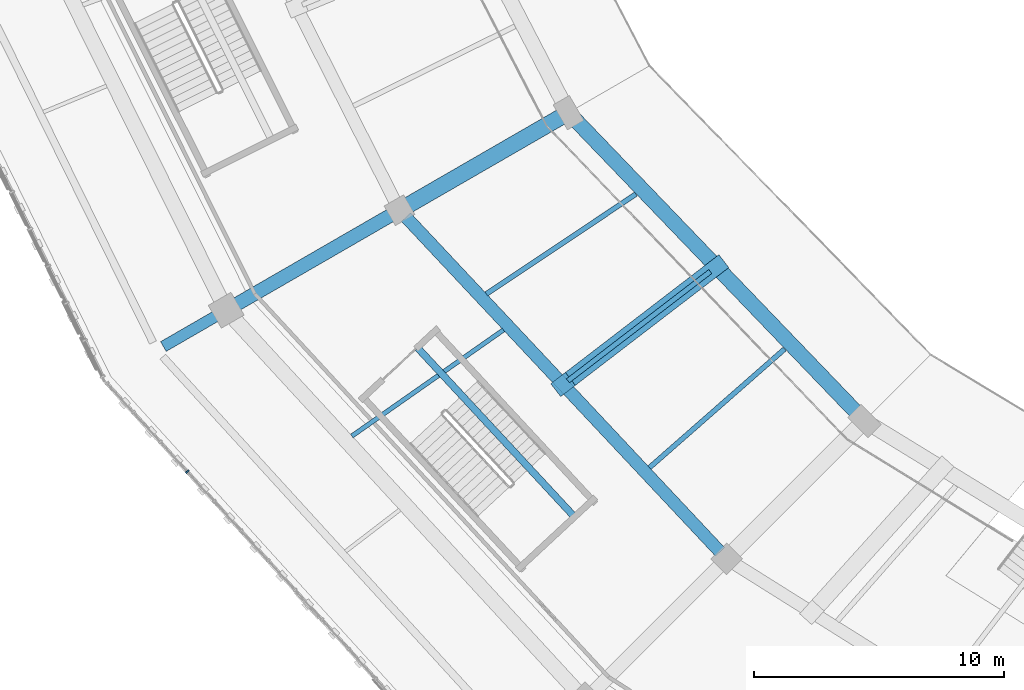
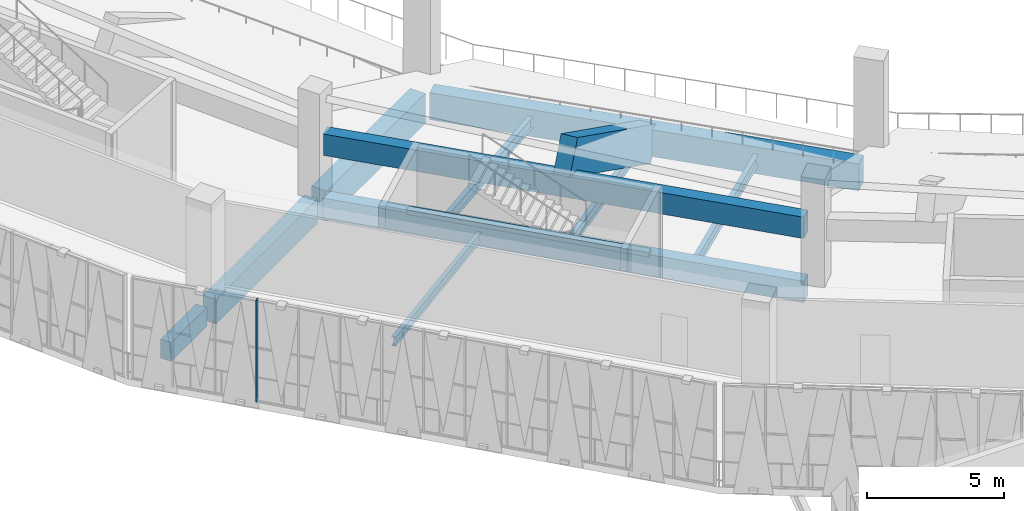
# One storey, part 11 of 152: 12 beams, 1 member, 1 element without a shape of its own.
"""IFC4 building model written with IfcOpenShell, lengths in metres."""

import ifcopenshell
import ifcopenshell.guid

model = None  # the IFC model being written
_history = None  # IfcOwnerHistory: only IFC2X3 demands one
_inside = {}  # id of a spatial element -> (the spatial element, [elements in it])
_under = {}  # id of a project, library or spatial element -> (it, [spatial elements below it])
_declared = {}  # id of a project -> (the project, [libraries it declares])
_typed = {}  # id of a type object -> (the type object, [elements of that type])
_made_of = {}  # id of a material, layer set ... -> (it, [elements and type objects made of it])


def new_model(schema):
    """Start an empty IFC model of exactly this schema.

    Asked for "IFC4X3", IfcOpenShell would pick the latest addendum, in which some entities
    have other attributes; the version numbers below select the first issue.
    IFC2X3 requires an IfcOwnerHistory on every rooted entity: one is made here for all.
    """
    global model, _history
    if schema == "IFC4X3":
        model = ifcopenshell.file(schema_version=(4, 3, 0, 0))
    else:
        model = ifcopenshell.file(schema=schema)
    _inside.clear()
    _under.clear()
    _declared.clear()
    _typed.clear()
    _made_of.clear()
    _history = None
    if model.schema == "IFC2X3":
        org = make("IfcOrganization", Name="unknown")
        user = make(
            "IfcPersonAndOrganization",
            ThePerson=make("IfcPerson", FamilyName="unknown"),
            TheOrganization=org,
        )
        app = make(
            "IfcApplication",
            ApplicationDeveloper=org,
            Version="unknown",
            ApplicationFullName="unknown",
            ApplicationIdentifier="unknown",
        )
        _history = make(
            "IfcOwnerHistory",
            OwningUser=user,
            OwningApplication=app,
            ChangeAction="ADDED",
            CreationDate=0,
        )
    return model


def make(cls, **values):
    """One entity of the class cls with the attributes given. An attribute that is None is left unset."""
    return model.create_entity(
        cls, **{name: value for name, value in values.items() if value is not None}
    )


def rooted(cls, **values):
    """An entity with a GlobalId (a new one), such as an element, a storey or a relation."""
    return make(cls, GlobalId=ifcopenshell.guid.new(), OwnerHistory=_history, **values)


def si_unit(unit_type, name, prefix=None):
    """IfcSIUnit, for example si_unit("LENGTHUNIT", "METRE", prefix="MILLI")."""
    return make("IfcSIUnit", UnitType=unit_type, Prefix=prefix, Name=name)


def assignment(units):
    """IfcUnitAssignment: the units of a project."""
    return None if units is None else make("IfcUnitAssignment", Units=units)


def point(xyz):
    """IfcCartesianPoint."""
    return None if xyz is None else make("IfcCartesianPoint", Coordinates=xyz)


def direction(xyz):
    """IfcDirection."""
    return None if xyz is None else make("IfcDirection", DirectionRatios=xyz)


def frame(location, z_axis=None, x_axis=None):
    """IfcAxis2Placement3D, a coordinate frame: its origin and axes. An axis left out is left unset."""
    return make(
        "IfcAxis2Placement3D",
        Location=point(location),
        Axis=direction(z_axis),
        RefDirection=direction(x_axis),
    )


def frame_2d(location, x_axis=None):
    """IfcAxis2Placement2D, a coordinate frame in the plane: its origin and x axis."""
    return make(
        "IfcAxis2Placement2D", Location=point(location), RefDirection=direction(x_axis)
    )


def origin():
    """The frame at (0, 0, 0) with its axes left unset."""
    return frame((0.0, 0.0, 0.0))


def origin_2d():
    """The frame at (0, 0) in the plane with its x axis left unset."""
    return frame_2d((0.0, 0.0))


def place(relative_to, where):
    """IfcLocalPlacement: puts the frame where relative to a parent placement (None: the world)."""
    return make(
        "IfcLocalPlacement", PlacementRelTo=relative_to, RelativePlacement=where
    )


def context(
    kind, dimensions, precision=None, world=None, true_north=None, identifier=None
):
    """IfcGeometricRepresentationContext, for example the 3D "Model" context."""
    return make(
        "IfcGeometricRepresentationContext",
        ContextIdentifier=identifier,
        ContextType=kind,
        CoordinateSpaceDimension=dimensions,
        Precision=precision,
        WorldCoordinateSystem=world,
        TrueNorth=true_north,
    )


def subcontext(parent, identifier, kind, view, scale=None):
    """IfcGeometricRepresentationSubContext, for example "Body" below "Model"."""
    return make(
        "IfcGeometricRepresentationSubContext",
        ContextIdentifier=identifier,
        ContextType=kind,
        ParentContext=parent,
        TargetScale=scale,
        TargetView=view,
    )


def project(units=None, contexts=None):
    """IfcProject with its units and contexts."""
    return rooted(
        "IfcProject",
        Name="project",
        RepresentationContexts=contexts,
        UnitsInContext=assignment(units),
    )


def spatial(cls, under=None, at=None, **own):
    """A site, building, storey or space (cls), placed at a placement, below another one or the project."""
    s = rooted(cls, ObjectPlacement=at, **own)
    if under is not None:
        _under.setdefault(under.id(), (under, []))[1].append(s)
    return s


def profile(cls, at=None, kind="AREA", **sizes):
    """A parametric profile (cls). Its sizes go by their IFC names, for example OverallWidth=200.0."""
    return make(cls, ProfileType=kind, Position=at, **sizes)


def rectangle(**sizes):
    """IfcRectangleProfileDef."""
    return profile("IfcRectangleProfileDef", **sizes)


def i_section(**sizes):
    """IfcIShapeProfileDef."""
    return profile("IfcIShapeProfileDef", **sizes)


def extrude(swept, where, along, depth):
    """IfcExtrudedAreaSolid: the profile swept, set in the frame where, extruded along a direction by depth."""
    return make(
        "IfcExtrudedAreaSolid",
        SweptArea=swept,
        Position=where,
        ExtrudedDirection=direction(along),
        Depth=depth,
    )


def shape(context_of_items, identifier, shape_type, items):
    """IfcShapeRepresentation: the items that make up one representation, for example the "Body"."""
    return make(
        "IfcShapeRepresentation",
        ContextOfItems=context_of_items,
        RepresentationIdentifier=identifier,
        RepresentationType=shape_type,
        Items=items,
    )


def material(Name=None, Category=None):
    """IfcMaterial."""
    return make("IfcMaterial", Name=Name, Category=Category)


def material_profile(
    of_material, cross_section, Name=None, Category=None, Priority=None
):
    """IfcMaterialProfile: a cross section and its material."""
    return make(
        "IfcMaterialProfile",
        Name=Name,
        Material=of_material,
        Profile=cross_section,
        Priority=Priority,
        Category=Category,
    )


def profile_set(profiles, Name=None, composite=None):
    """IfcMaterialProfileSet."""
    return make(
        "IfcMaterialProfileSet",
        Name=Name,
        MaterialProfiles=profiles,
        CompositeProfile=composite,
    )


def made_of(thing, what):
    """Note that an element or type object is made of a material, layer set ...; save() writes the relation."""
    if what is not None:
        _made_of.setdefault(what.id(), (what, []))[1].append(thing)
    return thing


def type_object(cls, material=None, **own):
    """A type object (cls), such as IfcWallType, which elements share."""
    return made_of(rooted(cls, **own), material)


def element(
    cls,
    number,
    at=None,
    inside=None,
    cuts=None,
    type_object=None,
    material=None,
    context=None,
    identifier="Body",
    shape_type=None,
    held_by="IfcProductDefinitionShape",
    body=None,
    shapes=None,
    **own,
):
    """One element of the class cls, such as IfcWall. Its Tag is "e" and its number.

    at: its placement. inside: the storey or other place that contains it. cuts: it is an
    opening in that element (IfcRelVoidsElement). A single representation is given by context,
    identifier, shape_type and body (its items); several are given by shapes. held_by: the class
    of the entity that holds the representations. save() writes the other relations.
    """
    e = rooted(cls, Tag="e%d" % number, ObjectPlacement=at, **own)
    if body is not None:
        shapes = [shape(context, identifier, shape_type, body)]
    if shapes is not None:
        e.Representation = make(held_by, Representations=shapes)
    if inside is not None:
        _inside.setdefault(inside.id(), (inside, []))[1].append(e)
    if cuts is not None:
        rooted(
            "IfcRelVoidsElement", RelatingBuildingElement=cuts, RelatedOpeningElement=e
        )
    if type_object is not None:
        _typed.setdefault(type_object.id(), (type_object, []))[1].append(e)
    return made_of(e, material)


def aggregate(whole, parts):
    """IfcRelAggregates: a whole, such as a stair, and the parts it consists of."""
    return rooted("IfcRelAggregates", RelatingObject=whole, RelatedObjects=parts)


def save(model, path):
    """Write the relations noted so far, then the file.

    IfcRelAggregates (storeys below a building ...), IfcRelContainedInSpatialStructure (elements
    in a storey), IfcRelDefinesByType, IfcRelAssociatesMaterial and IfcRelDeclares: one each for
    every whole, place, type object, material and project.
    """
    for whole, parts in _under.values():
        aggregate(whole, parts)
    for where, things in _inside.values():
        rooted(
            "IfcRelContainedInSpatialStructure",
            RelatedElements=things,
            RelatingStructure=where,
        )
    for kind, things in _typed.values():
        rooted("IfcRelDefinesByType", RelatedObjects=things, RelatingType=kind)
    for what, things in _made_of.values():
        rooted("IfcRelAssociatesMaterial", RelatedObjects=things, RelatingMaterial=what)
    for by, libraries in _declared.values():
        rooted("IfcRelDeclares", RelatingContext=by, RelatedDefinitions=libraries)
    model.write(path)


model = new_model("IFC4")

# Units and contexts
model_context = context("Model", 3, precision=1e-05, world=origin(), true_north=direction((0.0, 1.0)))
body_context = subcontext(model_context, "Body", "Model", "MODEL_VIEW")
ifc_project = project(units=[si_unit("LENGTHUNIT", "METRE"), si_unit("AREAUNIT", "SQUARE_METRE"), si_unit("VOLUMEUNIT", "CUBIC_METRE"), si_unit("PLANEANGLEUNIT", "RADIAN"), si_unit("MASSUNIT", "GRAM", prefix="KILO")], contexts=[model_context])

# Site, building, storey
site_placement = place(None, origin())
site = spatial("IfcSite", under=ifc_project, at=site_placement, CompositionType="ELEMENT")
building_placement = place(site_placement, origin())
building = spatial("IfcBuilding", under=site, at=building_placement, Name="Zevraka Park Crest Stadium", CompositionType="ELEMENT")
storey_placement = place(building_placement, frame((0.0, 0.0, 15.0)))
storey = spatial("IfcBuildingStorey", under=building, at=storey_placement, Name="L03", CompositionType="ELEMENT", Elevation=15.0)

# Beams
ifc_material_1 = material(Name="Concrete C40/50", Category="concrete")
ifc_material_profile_1 = material_profile(ifc_material_1, rectangle(XDim=0.64990234375, YDim=1.35009765625, at=origin_2d()), Name="RC 1350x650")
ifc_profile_set_1 = profile_set([ifc_material_profile_1], Name="Concrete C40/50")
beam_type_1 = type_object("IfcBeamType", Name="BG01", PredefinedType="BEAM", material=ifc_profile_set_1)
beam_1_placement = place(storey_placement, frame((47.220947265625, 62.10009765625, -0.68505859375), z_axis=(-0.866001485781, -0.500041424909, 0.0), x_axis=(0.500041424909, -0.866001485781, 0.0)))
element("IfcBeam", 1, at=beam_1_placement, inside=storey, type_object=beam_type_1, Name="Radial Girder BG01 L03-BC-14", PredefinedType="BEAM", context=body_context, shape_type="SweptSolid", body=[
    extrude(rectangle(XDim=0.64990234375, YDim=1.35009765625, at=origin_2d()), origin(), (0.0, 0.0, 1.0), 7.19970703125),
])
ifc_material_2 = material(Name="Concrete C40/50", Category="concrete")
ifc_material_profile_2 = material_profile(ifc_material_2, rectangle(XDim=0.550048828125, YDim=1.10009765625, at=origin_2d()), Name="RC 1100x550")
ifc_profile_set_2 = profile_set([ifc_material_profile_2], Name="Concrete C40/50")
beam_type_2 = type_object("IfcBeamType", Name="BG02", PredefinedType="BEAM", material=ifc_profile_set_2)
beam_2_placement = place(storey_placement, frame((40.466064453125, 58.199951171875, -0.56005859375), z_axis=(-0.86600700885, -0.500031859608, 0.0), x_axis=(0.500031859608, -0.86600700885, 0.0)))
element("IfcBeam", 2, at=beam_2_placement, inside=storey, type_object=beam_type_2, Name="Radial Girder BG02 L03-CD-14", PredefinedType="BEAM", context=body_context, shape_type="SweptSolid", body=[
    extrude(rectangle(XDim=0.550048828125, YDim=1.10009765625, at=origin_2d()), origin(), (0.0, 0.0, 1.0), 7.3994140625),
])
ifc_material_3 = material(Name="Concrete C40/50", Category="concrete")
ifc_material_profile_3 = material_profile(ifc_material_3, rectangle(XDim=0.449951171875, YDim=0.85009765625, at=origin_2d()), Name="RC 850x450")
ifc_profile_set_3 = profile_set([ifc_material_profile_3], Name="Concrete C40/50")
beam_type_3 = type_object("IfcBeamType", Name="BG03", PredefinedType="BEAM", material=ifc_profile_set_3)
beam_3_placement = place(storey_placement, frame((33.5380859375, 54.199951171875, -0.43505859375), z_axis=(-0.865950948929, -0.500128937424, 0.0), x_axis=(0.500128937424, -0.865950948929, 0.0)))
element("IfcBeam", 3, at=beam_3_placement, inside=storey, type_object=beam_type_3, Name="Radial Girder BG03 L03-DE-14", PredefinedType="BEAM", context=body_context, shape_type="SweptSolid", body=[
    extrude(rectangle(XDim=0.449951171875, YDim=0.85009765625, at=origin_2d()), origin(), (0.0, 0.0, 1.0), 2.599365234375),
])

# Curtain wall, member
ifc_material_4 = material(Name="Anodised architectural aluminium and laminated safety glass", Category="aluminium")
curtain_wall_type = type_object("IfcCurtainWallType", Name="CW13", PredefinedType="NOTDEFINED", material=ifc_material_4)
curtain_wall_placement = place(storey_placement, origin())
curtain_wall = element("IfcCurtainWall", 4, at=curtain_wall_placement, inside=storey, type_object=curtain_wall_type, Name="Unitised Ring Curtain Wall CW13 L03-14", PredefinedType="NOTDEFINED")
ifc_material_5 = material(Name="Anodised architectural aluminium", Category="aluminium")
ifc_material_profile_4 = material_profile(ifc_material_5, rectangle(XDim=0.159912109375, YDim=0.06005859375, at=origin_2d()), Name="ALU MULLION 160x60")
ifc_profile_set_4 = profile_set([ifc_material_profile_4], Name="Anodised architectural aluminium")
member_type = type_object("IfcMemberType", Name="CM01", PredefinedType="MULLION", material=ifc_profile_set_4)
member_placement = place(storey_placement, frame((32.243896484375, 47.8994140625, 0.0), z_axis=(0.0, 0.0, 1.0), x_axis=(0.739822878481, 0.672801685845, 0.0)))
member = element("IfcMember", 5, at=member_placement, type_object=member_type, Name="CW13 mullion 4", PredefinedType="MULLION", context=body_context, shape_type="SweptSolid", body=[
    extrude(rectangle(XDim=0.159912109375, YDim=0.06005859375, at=origin_2d()), origin(), (0.0, 0.0, 1.0), 4.5400390625),
])
aggregate(curtain_wall, [member])

# Beams
ifc_material_6 = material(Name="Concrete C40/50", Category="concrete")
ifc_material_profile_5 = material_profile(ifc_material_6, rectangle(XDim=0.60009765625, YDim=1.199951171875, at=origin_2d()), Name="RC 1200x600")
ifc_profile_set_5 = profile_set([ifc_material_profile_5], Name="Concrete C40/50")
beam_type_4 = type_object("IfcBeamType", Name="RB01", PredefinedType="BEAM", material=ifc_profile_set_5)
beam_4_placement = place(storey_placement, frame((47.743896484375, 61.97607421875, -0.610107421875), z_axis=(0.692852617328, -0.721079226342, 0.0), x_axis=(0.721079226342, 0.692852617328, 0.0)))
element("IfcBeam", 6, at=beam_4_placement, inside=storey, type_object=beam_type_4, Name="Ring Beam RB01 L03-B-14", PredefinedType="BEAM", context=body_context, shape_type="SweptSolid", body=[
    extrude(rectangle(XDim=0.60009765625, YDim=1.199951171875, at=origin_2d()), origin(), (0.0, 0.0, 1.0), 16.329833984375),
])
ifc_material_7 = material(Name="Concrete C40/50", Category="concrete")
ifc_material_profile_6 = material_profile(ifc_material_7, rectangle(XDim=0.5, YDim=0.949951171875, at=origin_2d()), Name="RC 950x500")
ifc_profile_set_6 = profile_set([ifc_material_profile_6], Name="Concrete C40/50")
beam_type_5 = type_object("IfcBeamType", Name="RB02", PredefinedType="BEAM", material=ifc_profile_set_6)
for number, where, z_axis, x_axis, name in (
    (7, (40.986083984375, 58.072998046875, -0.485107421875), (0.684268936493, -0.729229746068, 0.0), (0.729229746068, 0.684268936493, 0.0), "Ring Beam RB02 L03-C-14"),
    (8, (40.986083984375, 58.072998046875, 2.375), (0.684268936493, -0.729229746068, 0.0), (0.729229746068, 0.684268936493, 0.0), "Upper Tier Head Raker Ring Beam RB02 14"),
):
    element("IfcBeam", number, at=place(storey_placement, frame(where, z_axis=z_axis, x_axis=x_axis)), inside=storey, type_object=beam_type_5, Name=name, PredefinedType="BEAM", context=body_context, shape_type="SweptSolid", body=[
        extrude(rectangle(XDim=0.5, YDim=0.949951171875, at=origin_2d()), origin(), (0.0, 0.0, 1.0), 18.353759765625),
    ])
ifc_material_8 = material(Name="Concrete C40/50", Category="concrete")
ifc_material_profile_7 = material_profile(ifc_material_8, rectangle(XDim=0.64990234375, YDim=1.5, at=origin_2d()), Name="RC 1500x650")
ifc_profile_set_7 = profile_set([ifc_material_profile_7], Name="Concrete C40/50")
beam_type_6 = type_object("IfcBeamType", Name="RK02", PredefinedType="BEAM", material=ifc_profile_set_7)
beam_5_placement = place(storey_placement, frame((53.40087890625, 56.087890625, -0.800048828125), z_axis=(-0.690325578802, -0.529639717993, 0.492881694098), x_axis=(0.608713880847, -0.793389823015, 0.0)))
element("IfcBeam", 9, at=beam_5_placement, inside=storey, type_object=beam_type_6, Name="Upper Bowl Main Raker Girder RK02 14", PredefinedType="BEAM", context=body_context, shape_type="SweptSolid", body=[
    extrude(rectangle(XDim=0.64990234375, YDim=1.5, at=origin_2d()), origin(), (0.0, 0.0, 1.0), 8.88671875),
])
ifc_material_9 = material(Name="Steel S355", Category="steel")
ifc_material_profile_8 = material_profile(ifc_material_9, i_section(OverallWidth=0.179931640625, OverallDepth=0.39990234375, WebThickness=0.008544921875, FlangeThickness=0.013427734375, at=origin_2d()), Name="IPE 400")
ifc_profile_set_8 = profile_set([ifc_material_profile_8], Name="Steel S355")
beam_type_7 = type_object("IfcBeamType", Name="SJ09", PredefinedType="JOIST", material=ifc_profile_set_8)
beam_6_placement = place(storey_placement, frame((44.885009765625, 53.56396484375, -0.508056640625), z_axis=(-0.819262921224, -0.573418055093, 0.0), x_axis=(0.573418055093, -0.819262921224, 0.0)))
element("IfcBeam", 10, at=beam_6_placement, inside=storey, type_object=beam_type_7, Name="Floor Joist SJ09 L03-CD-14-1", PredefinedType="JOIST", context=body_context, shape_type="SweptSolid", body=[
    extrude(i_section(OverallWidth=0.179931640625, OverallDepth=0.39990234375, WebThickness=0.008544921875, FlangeThickness=0.013427734375, at=origin_2d()), origin(), (0.0, 0.0, 1.0), 7.3994140625),
])
ifc_material_10 = material(Name="Steel S355", Category="steel")
ifc_material_profile_9 = material_profile(ifc_material_10, i_section(OverallWidth=0.199951171875, OverallDepth=0.5, WebThickness=0.01025390625, FlangeThickness=0.01611328125, at=origin_2d()), Name="IPE 500")
ifc_profile_set_9 = profile_set([ifc_material_profile_9], Name="Steel S355")
beam_type_8 = type_object("IfcBeamType", Name="SJ10", PredefinedType="JOIST", material=ifc_profile_set_9)
beam_7_placement = place(storey_placement, frame((50.178955078125, 58.993896484375, -0.55810546875), z_axis=(-0.831668706104, -0.55527215245, 0.0), x_axis=(0.55527215245, -0.831668706104, 0.0)))
element("IfcBeam", 11, at=beam_7_placement, inside=storey, type_object=beam_type_8, Name="Floor Joist SJ10 L03-BC-14-1", PredefinedType="JOIST", context=body_context, shape_type="SweptSolid", body=[
    extrude(i_section(OverallWidth=0.199951171875, OverallDepth=0.5, WebThickness=0.01025390625, FlangeThickness=0.01611328125, at=origin_2d()), origin(), (0.0, 0.0, 1.0), 7.189208984375),
])
beam_8_placement = place(storey_placement, frame((53.15087890625, 55.89697265625, -0.55810546875), z_axis=(-0.793343347731, -0.608774451346, 0.0), x_axis=(0.608774451346, -0.793343347731, 0.0)))
element("IfcBeam", 12, at=beam_8_placement, inside=storey, type_object=beam_type_8, Name="Floor Joist SJ10 L03-BC-14-2", PredefinedType="JOIST", context=body_context, shape_type="SweptSolid", body=[
    extrude(i_section(OverallWidth=0.199951171875, OverallDepth=0.5, WebThickness=0.01025390625, FlangeThickness=0.01611328125, at=origin_2d()), origin(), (0.0, 0.0, 1.0), 7.17333984375),
])
beam_9_placement = place(storey_placement, frame((56.1240234375, 52.800048828125, -0.55810546875), z_axis=(-0.751711566798, -0.65949201689, 0.0), x_axis=(0.65949201689, -0.751711566798, 0.0)))
element("IfcBeam", 13, at=beam_9_placement, inside=storey, type_object=beam_type_8, Name="Floor Joist SJ10 L03-BC-14-3", PredefinedType="JOIST", context=body_context, shape_type="SweptSolid", body=[
    extrude(i_section(OverallWidth=0.199951171875, OverallDepth=0.5, WebThickness=0.01025390625, FlangeThickness=0.01611328125, at=origin_2d()), origin(), (0.0, 0.0, 1.0), 7.190185546875),
])
ifc_material_11 = material(Name="Concrete C40/50", Category="concrete")
ifc_material_profile_10 = material_profile(ifc_material_11, rectangle(XDim=0.280029296875, YDim=0.199951171875, at=origin_2d()), Name="RC 200x280")
ifc_profile_set_10 = profile_set([ifc_material_profile_10], Name="Concrete C40/50")
beam_type_9 = type_object("IfcBeamType", Name="SJ13", PredefinedType="JOIST", material=ifc_profile_set_10)
beam_10_placement = place(storey_placement, frame((41.455322265625, 52.8427734375, 2.300048828125), z_axis=(0.680247587728, -0.732982414107, 0.0), x_axis=(0.732982414107, 0.680247587728, 0.0)))
element("IfcBeam", 14, at=beam_10_placement, inside=storey, type_object=beam_type_9, Name="Stair Upper-Flight Longitudinal Stringer SJ13 ST15-L03", PredefinedType="JOIST", context=body_context, shape_type="SweptSolid", body=[
    extrude(rectangle(XDim=0.280029296875, YDim=0.199951171875, at=origin_2d()), origin(), (0.0, 0.0, 1.0), 9.25),
])

save(model, "model.ifc")
